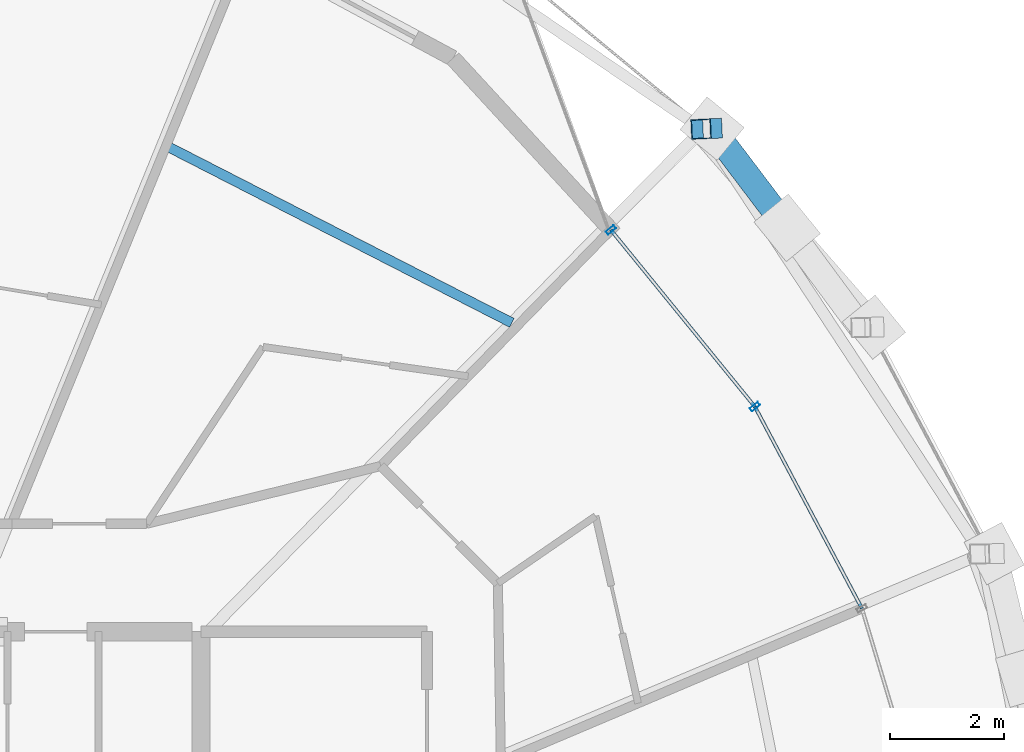
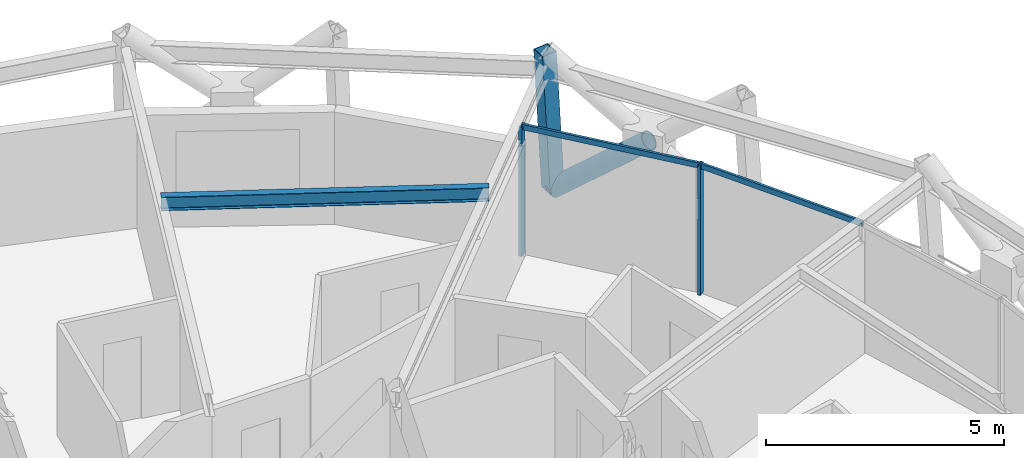
# One storey, part 8 of 15: 6 members, 1 beam, 1 element without a shape of its own.
"""IFC4 building model written with IfcOpenShell, lengths in metres."""

from ifc_helpers import new_model, si_unit, direction, frame, origin, origin_2d, place, context, subcontext, project, spatial, hollow_rectangle, hollow_circle, i_section, extrude, material, layer, layer_set, material_profile, profile_set, type_object, element, aggregate, save


model = new_model("IFC4")

# Units and contexts
model_context = context("Model", 3, precision=1e-05, world=origin(), true_north=direction((0.0, 1.0)))
body_context = subcontext(model_context, "Body", "Model", "MODEL_VIEW")
ifc_project = project(units=[si_unit("LENGTHUNIT", "METRE"), si_unit("AREAUNIT", "SQUARE_METRE"), si_unit("VOLUMEUNIT", "CUBIC_METRE"), si_unit("PLANEANGLEUNIT", "RADIAN"), si_unit("MASSUNIT", "GRAM", prefix="KILO")], contexts=[model_context])

# Site, building, storey
site_placement = place(None, origin())
site = spatial("IfcSite", under=ifc_project, at=site_placement, CompositionType="ELEMENT")
building_placement = place(site_placement, origin())
building = spatial("IfcBuilding", under=site, at=building_placement, Name="Veldorina Hangang Commons", CompositionType="ELEMENT")
storey_placement = place(building_placement, frame((0.0, 0.0, 250.800048828125)))
storey = spatial("IfcBuildingStorey", under=building, at=storey_placement, Name="L65", CompositionType="ELEMENT", Elevation=250.800048828125)

# Beam
ifc_material_1 = material(Name="Steel SM355-TMC", Category="steel")
ifc_material_profile_1 = material_profile(ifc_material_1, i_section(OverallWidth=0.175048828125, OverallDepth=0.35009765625, WebThickness=0.007080078125, FlangeThickness=0.010986328125, FilletRadius=0.012939453125, at=origin_2d()), Name="H-350x175x7x11")
ifc_profile_set_1 = profile_set([ifc_material_profile_1], Name="Steel SM355-TMC")
beam_type = type_object("IfcBeamType", Name="BM-JST350", PredefinedType="JOIST", material=ifc_profile_set_1)
beam_placement = place(storey_placement, frame((44.672607421875, 36.885986328125, 3.18505859375), z_axis=(-0.889997144017, 0.455966099224, 0.0), x_axis=(-0.455966099224, -0.889997144017, 0.0)))
element("IfcBeam", 1, at=beam_placement, inside=storey, type_object=beam_type, Name="L65 secondary floor joist 03", PredefinedType="JOIST", context=body_context, shape_type="SweptSolid", body=[
    extrude(i_section(OverallWidth=0.175048828125, OverallDepth=0.35009765625, WebThickness=0.007080078125, FlangeThickness=0.010986328125, FilletRadius=0.012939453125, at=origin_2d()), origin(), (0.0, 0.0, 1.0), 6.900634765625),
])

# Curtain wall, members
ifc_material_2 = material(Name="Glass Low-E Selective", Category="glass")
ifc_layer = layer(ifc_material_2, 0.179931640625)
ifc_layer_set = layer_set([ifc_layer], Name="Glass Low-E Selective")
curtain_wall_type = type_object("IfcCurtainWallType", Name="CW-SYS-Z3", PredefinedType="NOTDEFINED", material=ifc_layer_set)
curtain_wall_placement = place(storey_placement, origin())
curtain_wall = element("IfcCurtainWall", 2, at=curtain_wall_placement, inside=storey, type_object=curtain_wall_type, Name="L65 unitised curtain wall CW-L65-R2", PredefinedType="NOTDEFINED")
ifc_material_3 = material(Name="Aluminium Anodized AA6063-T6", Category="aluminium")
ifc_material_profile_2 = material_profile(ifc_material_3, hollow_rectangle(XDim=0.070068359375, YDim=0.179931640625, WallThickness=0.00390625, at=origin_2d()), Name="ALU-RHS-180x70x4")
ifc_profile_set_2 = profile_set([ifc_material_profile_2], Name="Aluminium Anodized AA6063-T6")
member_type_1 = type_object("IfcMemberType", Name="CW-MUL-180", PredefinedType="MULLION", material=ifc_profile_set_2)
member_1_placement = place(storey_placement, frame((48.94970703125, 35.41015625, 0.0), z_axis=(0.0, 0.0, 1.0), x_axis=(-0.631569330094, 0.775319405977, 0.0)))
member_1 = element("IfcMember", 3, at=member_1_placement, type_object=member_type_1, Name="CW-L65-R2 vertical mullion 5", PredefinedType="MULLION", context=body_context, shape_type="SweptSolid", body=[
    extrude(hollow_rectangle(XDim=0.070068359375, YDim=0.179931640625, WallThickness=0.00390625, at=origin_2d()), origin(), (0.0, 0.0, 1.0), 3.320068359375),
])
member_2_placement = place(storey_placement, frame((46.41455078125, 38.522216796875, 0.0), z_axis=(0.0, 0.0, 1.0), x_axis=(0.631569330094, -0.775319405977, 0.0)))
member_2 = element("IfcMember", 4, at=member_2_placement, type_object=member_type_1, Name="CW-L65-R2 vertical mullion 6", PredefinedType="MULLION", context=body_context, shape_type="SweptSolid", body=[
    extrude(hollow_rectangle(XDim=0.070068359375, YDim=0.179931640625, WallThickness=0.00390625, at=origin_2d()), origin(), (0.0, 0.0, 1.0), 3.320068359375),
])
ifc_material_profile_3 = material_profile(ifc_material_3, hollow_rectangle(XDim=0.06005859375, YDim=0.139892578125, WallThickness=0.00341796875, at=origin_2d()), Name="ALU-RHS-140x60x3.5")
ifc_profile_set_3 = profile_set([ifc_material_profile_3], Name="Aluminium Anodized AA6063-T6")
member_type_2 = type_object("IfcMemberType", Name="CW-TRN-140", PredefinedType="USERDEFINED", material=ifc_profile_set_3)
member_3_placement = place(storey_placement, frame((50.83349609375, 31.859375, 3.280029296875), z_axis=(-0.468657771763, 0.883379812406, 0.0), x_axis=(-0.883379812406, -0.468657771763, 0.0)))
member_3 = element("IfcMember", 5, at=member_3_placement, type_object=member_type_2, Name="CW-L65-R2 facet 4 transom 1", ObjectType="TRANSOM", PredefinedType="USERDEFINED", context=body_context, shape_type="SweptSolid", body=[
    extrude(hollow_rectangle(XDim=0.06005859375, YDim=0.139892578125, WallThickness=0.00341796875, at=origin_2d()), origin(), (0.0, 0.0, 1.0), 4.01953125),
])
member_4_placement = place(storey_placement, frame((48.94970703125, 35.41015625, 3.280029296875), z_axis=(-0.63158359316, 0.775307787173, 0.0), x_axis=(-0.775307787173, -0.63158359316, 0.0)))
member_4 = element("IfcMember", 6, at=member_4_placement, type_object=member_type_2, Name="CW-L65-R2 facet 5 transom 1", ObjectType="TRANSOM", PredefinedType="USERDEFINED", context=body_context, shape_type="SweptSolid", body=[
    extrude(hollow_rectangle(XDim=0.06005859375, YDim=0.139892578125, WallThickness=0.00341796875, at=origin_2d()), origin(), (0.0, 0.0, 1.0), 4.013916015625),
])
aggregate(curtain_wall, [member_1, member_2, member_3, member_4])

# Members
ifc_material_profile_4 = material_profile(ifc_material_1, hollow_circle(Radius=0.22509765625, WallThickness=0.02197265625, at=origin_2d()), Name="CHS-450x22")
ifc_profile_set_4 = profile_set([ifc_material_profile_4], Name="Steel SM355-TMC")
member_type_3 = type_object("IfcMemberType", Name="DG-CHS450", PredefinedType="BRACE", material=ifc_profile_set_4)
member_5_placement = place(storey_placement, frame((48.1962890625, 40.30419921875, 0.0), z_axis=(0.466071494645, -0.615379506217, 0.635677139126), x_axis=(0.797170144595, 0.603754718877, 0.0)))
element("IfcMember", 7, at=member_5_placement, inside=storey, type_object=member_type_3, Name="L65 split perimeter diagrid lower brace 04", PredefinedType="BRACE", context=body_context, shape_type="SweptSolid", body=[
    extrude(hollow_circle(Radius=0.22509765625, WallThickness=0.02197265625, at=origin_2d()), origin(), (0.0, 0.0, 1.0), 2.838623046875),
])
ifc_material_profile_5 = material_profile(ifc_material_1, hollow_rectangle(XDim=0.35009765625, YDim=0.35009765625, WallThickness=0.01611328125, at=origin_2d()), Name="SHS-350x350x16")
ifc_profile_set_5 = profile_set([ifc_material_profile_5], Name="Steel SM355-TMC")
member_type_4 = type_object("IfcMemberType", Name="STR-SHS350", PredefinedType="STRUT", material=ifc_profile_set_5)
member_6_placement = place(storey_placement, frame((48.1962890625, 40.30419921875, 0.0), z_axis=(-0.054040804353, -0.002370210717, 0.998535915011), x_axis=(0.043817524169, -0.999039551057, 0.0)))
element("IfcMember", 8, at=member_6_placement, inside=storey, type_object=member_type_4, Name="L65 perimeter ring node post 04", PredefinedType="STRUT", context=body_context, shape_type="SweptSolid", body=[
    extrude(hollow_rectangle(XDim=0.35009765625, YDim=0.35009765625, WallThickness=0.01611328125, at=origin_2d()), origin(), (0.0, 0.0, 1.0), 3.605224609375),
])

save(model, "model.ifc")
